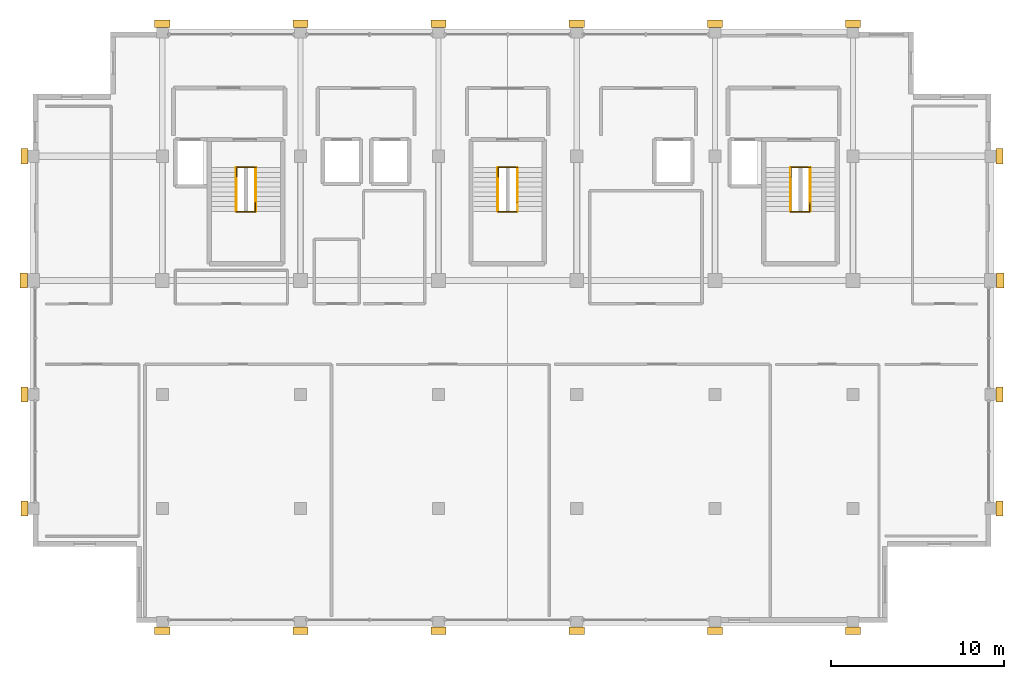
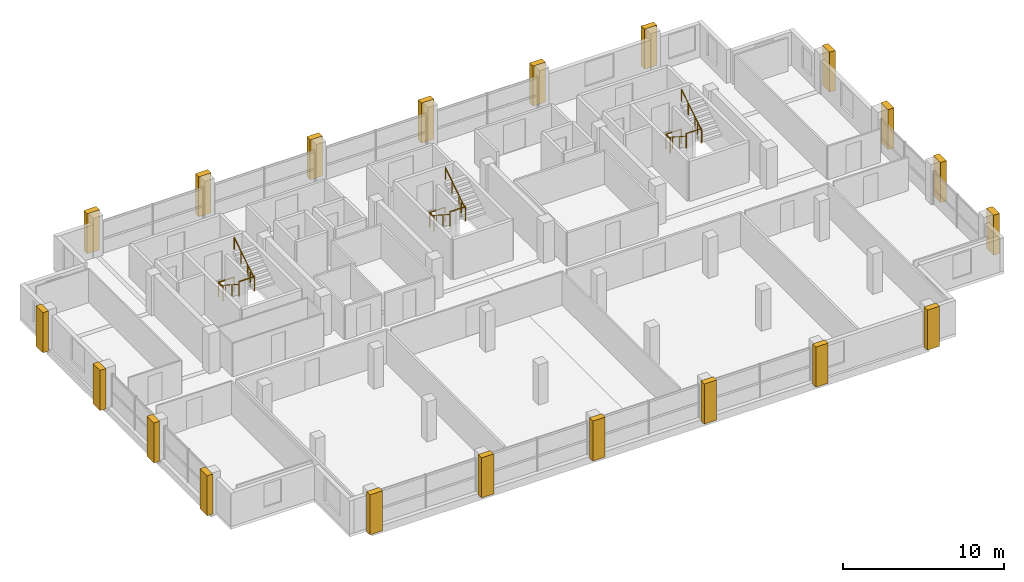
# One storey, part 24 of 24: 20 coverings, 12 railings.
"""IFC4 building model written with IfcOpenShell, lengths in metres."""

from ifc_helpers import new_model, si_unit, direction, frame, origin, origin_2d, place, context, subcontext, project, spatial, rectangle, circle, extrude, material, layer, layer_set, type_object, element, save


model = new_model("IFC4")

# Units and contexts
model_context = context("Model", 3, precision=1e-05, world=origin(), true_north=direction((0.0, 1.0)))
body_context = subcontext(model_context, "Body", "Model", "MODEL_VIEW")
ifc_project = project(units=[si_unit("LENGTHUNIT", "METRE"), si_unit("AREAUNIT", "SQUARE_METRE"), si_unit("VOLUMEUNIT", "CUBIC_METRE"), si_unit("PLANEANGLEUNIT", "RADIAN"), si_unit("MASSUNIT", "GRAM", prefix="KILO")], contexts=[model_context])

# Site, building, storey
site_placement = place(None, origin())
site = spatial("IfcSite", under=ifc_project, at=site_placement, CompositionType="ELEMENT")
building_placement = place(site_placement, origin())
building = spatial("IfcBuilding", under=site, at=building_placement, Name="Akrevak Sports Hall", CompositionType="ELEMENT")
storey_placement = place(building_placement, frame((0.0, 0.0, 60.050048828125)))
storey = spatial("IfcBuildingStorey", under=building, at=storey_placement, Name="L15", CompositionType="ELEMENT", Elevation=60.050048828125)

# Coverings
ifc_material_1 = material(Name="Limestone Ashlar", Category="stone")
ifc_layer_1 = layer(ifc_material_1, 0.47998046875, Name="Limestone Ashlar")
ifc_layer_set_1 = layer_set([ifc_layer_1], Name="Limestone Ashlar")
covering_type = type_object("IfcCoveringType", Name="ARC-COV-PIL-LIM", PredefinedType="CLADDING", material=ifc_layer_set_1)
for number, where, z_axis, x_axis, name in (
    (1, (60.0, 34.919921875, 0.0), (0.0, 0.0, 1.0), (1.0, 0.0, 0.0), "Giant-Order Limestone Pilaster L15-01-01"),
    (2, (68.0, 34.919921875, 0.0), (0.0, 0.0, 1.0), (1.0, 0.0, 0.0), "Giant-Order Limestone Pilaster L15-01-02"),
    (3, (76.0, 34.919921875, 0.0), (0.0, 0.0, 1.0), (1.0, 0.0, 0.0), "Giant-Order Limestone Pilaster L15-01-03"),
    (4, (84.0, 34.919921875, 0.0), (0.0, 0.0, 1.0), (1.0, 0.0, 0.0), "Giant-Order Limestone Pilaster L15-01-04"),
    (5, (92.0, 34.919921875, 0.0), (0.0, 0.0, 1.0), (1.0, 0.0, 0.0), "Giant-Order Limestone Pilaster L15-01-05"),
    (6, (100.0, 34.919921875, 0.0), (0.0, 0.0, 1.0), (1.0, 0.0, 0.0), "Giant-Order Limestone Pilaster L15-01-06"),
    (7, (108.47998046875, 42.0, 0.0), (0.0, 0.0, 1.0), (0.0, 1.0, 0.0), "Giant-Order Limestone Pilaster L15-04-07"),
    (8, (108.47998046875, 48.60009765625, 0.0), (0.0, 0.0, 1.0), (0.0, 1.0, 0.0), "Giant-Order Limestone Pilaster L15-04-08"),
    (9, (108.530029296875, 55.199951171875, 0.0), (0.0, 0.0, 1.0), (0.0, 1.0, 0.0), "Giant-Order Limestone Pilaster L15-04-09"),
    (10, (108.47998046875, 62.39990234375, 0.0), (0.0, 0.0, 1.0), (0.0, 1.0, 0.0), "Giant-Order Limestone Pilaster L15-04-10"),
    (11, (60.0, 70.080078125, 0.0), (0.0, 0.0, 1.0), (-1.0, 0.0, 0.0), "Giant-Order Limestone Pilaster L15-07-11"),
    (12, (68.0, 70.080078125, 0.0), (0.0, 0.0, 1.0), (-1.0, 0.0, 0.0), "Giant-Order Limestone Pilaster L15-07-12"),
    (13, (76.0, 70.080078125, 0.0), (0.0, 0.0, 1.0), (-1.0, 0.0, 0.0), "Giant-Order Limestone Pilaster L15-07-13"),
    (14, (84.0, 70.080078125, 0.0), (0.0, 0.0, 1.0), (-1.0, 0.0, 0.0), "Giant-Order Limestone Pilaster L15-07-14"),
    (15, (92.0, 70.080078125, 0.0), (0.0, 0.0, 1.0), (-1.0, 0.0, 0.0), "Giant-Order Limestone Pilaster L15-07-15"),
    (16, (100.0, 70.080078125, 0.0), (0.0, 0.0, 1.0), (-1.0, 0.0, 0.0), "Giant-Order Limestone Pilaster L15-07-16"),
    (17, (52.02001953125, 42.0, 0.0), (0.0, 0.0, 1.0), (0.0, -1.0, 0.0), "Giant-Order Limestone Pilaster L15-10-17"),
    (18, (52.02001953125, 48.60009765625, 0.0), (0.0, 0.0, 1.0), (0.0, -1.0, 0.0), "Giant-Order Limestone Pilaster L15-10-18"),
    (19, (51.969970703125, 55.199951171875, 0.0), (0.0, 0.0, 1.0), (0.0, -1.0, 0.0), "Giant-Order Limestone Pilaster L15-10-19"),
    (20, (52.02001953125, 62.39990234375, 0.0), (0.0, 0.0, 1.0), (0.0, -1.0, 0.0), "Giant-Order Limestone Pilaster L15-10-20"),
):
    element("IfcCovering", number, at=place(storey_placement, frame(where, z_axis=z_axis, x_axis=x_axis)), inside=storey, type_object=covering_type, Name=name, PredefinedType="CLADDING", context=body_context, shape_type="SweptSolid", body=[
        extrude(rectangle(XDim=0.8798828125, YDim=0.419921875, at=origin_2d()), origin(), (0.0, 0.0, 1.0), 3.0400390625),
    ])

# Railings
ifc_material_2 = material(Name="Painted Architectural Balustrade Steel", Category="steel")
ifc_layer_2 = layer(ifc_material_2, 0.06005859375, Name="Painted Architectural Balustrade Steel")
ifc_layer_set_2 = layer_set([ifc_layer_2], Name="Painted Architectural Balustrade Steel")
railing_type_1 = type_object("IfcRailingType", Name="ARC-RL-GRD-1120", PredefinedType="GUARDRAIL", material=ifc_layer_set_2)
railing_1_placement = place(storey_placement, frame((64.31005859375, 61.215087890625, 0.0)))
element("IfcRailing", 21, at=railing_1_placement, inside=storey, type_object=railing_type_1, Name="Stair Floor Landing Well Guard ST1 (L15)", PredefinedType="GUARDRAIL", context=body_context, shape_type="SweptSolid", body=[
    extrude(circle(Radius=0.02392578125, at=origin_2d()), frame((0.0, 0.0, 1.09619140625), z_axis=(0.0, 1.0, 0.0), x_axis=(-1.0, 0.0, 0.0)), (0.0, 0.0, 1.0), 0.5498046875),
    extrude(circle(Radius=0.02392578125, at=origin_2d()), frame((0.0, 0.5498046875, 1.09619140625), z_axis=(1.0, 0.0, 0.0), x_axis=(0.0, 1.0, 0.0)), (0.0, 0.0, 1.0), 1.10986328125),
    extrude(circle(Radius=0.02099609375, at=origin_2d()), origin(), (0.0, 0.0, 1.0), 1.072021484375),
    extrude(circle(Radius=0.02099609375, at=origin_2d()), frame((0.0, 0.5498046875, 0.0)), (0.0, 0.0, 1.0), 1.072021484375),
    extrude(circle(Radius=0.02099609375, at=origin_2d()), frame((1.10986328125, 0.5498046875, 0.0)), (0.0, 0.0, 1.0), 1.072021484375),
])
railing_2_placement = place(storey_placement, frame((64.280029296875, 59.18505859375, 1.625)))
element("IfcRailing", 22, at=railing_2_placement, inside=storey, type_object=railing_type_1, Name="Stair Landing Well Guard ST1-L15-1", PredefinedType="GUARDRAIL", context=body_context, shape_type="SweptSolid", body=[
    extrude(circle(Radius=0.02392578125, at=origin_2d()), frame((0.0, 0.0, 1.09619140625), z_axis=(1.0, 0.0, 0.0), x_axis=(0.0, 1.0, 0.0)), (0.0, 0.0, 1.0), 1.10986328125),
    extrude(circle(Radius=0.02392578125, at=origin_2d()), frame((1.10986328125, 0.0, 1.09619140625), z_axis=(0.0, 1.0, 0.0), x_axis=(-1.0, 0.0, 0.0)), (0.0, 0.0, 1.0), 0.52001953125),
    extrude(circle(Radius=0.02099609375, at=origin_2d()), origin(), (0.0, 0.0, 1.0), 1.072021484375),
    extrude(circle(Radius=0.02099609375, at=origin_2d()), frame((1.10986328125, 0.0, 0.0)), (0.0, 0.0, 1.0), 1.072021484375),
    extrude(circle(Radius=0.02099609375, at=origin_2d()), frame((1.10986328125, 0.52001953125, 0.0)), (0.0, 0.0, 1.0), 1.072021484375),
])
railing_3_placement = place(storey_placement, frame((96.409912109375, 61.215087890625, 0.0)))
element("IfcRailing", 23, at=railing_3_placement, inside=storey, type_object=railing_type_1, Name="Stair Floor Landing Well Guard ST2 (L15)", PredefinedType="GUARDRAIL", context=body_context, shape_type="SweptSolid", body=[
    extrude(circle(Radius=0.02392578125, at=origin_2d()), frame((0.0, 0.0, 1.09619140625), z_axis=(0.0, 1.0, 0.0), x_axis=(-1.0, 0.0, 0.0)), (0.0, 0.0, 1.0), 0.5498046875),
    extrude(circle(Radius=0.02392578125, at=origin_2d()), frame((0.0, 0.5498046875, 1.09619140625), z_axis=(1.0, 0.0, 0.0), x_axis=(0.0, 1.0, 0.0)), (0.0, 0.0, 1.0), 1.110107421875),
    extrude(circle(Radius=0.02099609375, at=origin_2d()), origin(), (0.0, 0.0, 1.0), 1.072021484375),
    extrude(circle(Radius=0.02099609375, at=origin_2d()), frame((0.0, 0.5498046875, 0.0)), (0.0, 0.0, 1.0), 1.072021484375),
    extrude(circle(Radius=0.02099609375, at=origin_2d()), frame((1.110107421875, 0.5498046875, 0.0)), (0.0, 0.0, 1.0), 1.072021484375),
])
railing_4_placement = place(storey_placement, frame((96.3798828125, 59.18505859375, 1.625)))
element("IfcRailing", 24, at=railing_4_placement, inside=storey, type_object=railing_type_1, Name="Stair Landing Well Guard ST2-L15-1", PredefinedType="GUARDRAIL", context=body_context, shape_type="SweptSolid", body=[
    extrude(circle(Radius=0.02392578125, at=origin_2d()), frame((0.0, 0.0, 1.09619140625), z_axis=(1.0, 0.0, 0.0), x_axis=(0.0, 1.0, 0.0)), (0.0, 0.0, 1.0), 1.110107421875),
    extrude(circle(Radius=0.02392578125, at=origin_2d()), frame((1.110107421875, 0.0, 1.09619140625), z_axis=(0.0, 1.0, 0.0), x_axis=(-1.0, 0.0, 0.0)), (0.0, 0.0, 1.0), 0.52001953125),
    extrude(circle(Radius=0.02099609375, at=origin_2d()), origin(), (0.0, 0.0, 1.0), 1.072021484375),
    extrude(circle(Radius=0.02099609375, at=origin_2d()), frame((1.110107421875, 0.0, 0.0)), (0.0, 0.0, 1.0), 1.072021484375),
    extrude(circle(Radius=0.02099609375, at=origin_2d()), frame((1.110107421875, 0.52001953125, 0.0)), (0.0, 0.0, 1.0), 1.072021484375),
])
railing_5_placement = place(storey_placement, frame((79.4599609375, 61.215087890625, 0.0)))
element("IfcRailing", 25, at=railing_5_placement, inside=storey, type_object=railing_type_1, Name="Stair Floor Landing Well Guard ST3 (L15)", PredefinedType="GUARDRAIL", context=body_context, shape_type="SweptSolid", body=[
    extrude(circle(Radius=0.02392578125, at=origin_2d()), frame((0.0, 0.0, 1.09619140625), z_axis=(0.0, 1.0, 0.0), x_axis=(-1.0, 0.0, 0.0)), (0.0, 0.0, 1.0), 0.5498046875),
    extrude(circle(Radius=0.02392578125, at=origin_2d()), frame((0.0, 0.5498046875, 1.09619140625), z_axis=(1.0, 0.0, 0.0), x_axis=(0.0, 1.0, 0.0)), (0.0, 0.0, 1.0), 1.110107421875),
    extrude(circle(Radius=0.02099609375, at=origin_2d()), origin(), (0.0, 0.0, 1.0), 1.072021484375),
    extrude(circle(Radius=0.02099609375, at=origin_2d()), frame((0.0, 0.5498046875, 0.0)), (0.0, 0.0, 1.0), 1.072021484375),
    extrude(circle(Radius=0.02099609375, at=origin_2d()), frame((1.110107421875, 0.5498046875, 0.0)), (0.0, 0.0, 1.0), 1.072021484375),
])
railing_6_placement = place(storey_placement, frame((79.429931640625, 59.18505859375, 1.625)))
element("IfcRailing", 26, at=railing_6_placement, inside=storey, type_object=railing_type_1, Name="Stair Landing Well Guard ST3-L15-1", PredefinedType="GUARDRAIL", context=body_context, shape_type="SweptSolid", body=[
    extrude(circle(Radius=0.02392578125, at=origin_2d()), frame((0.0, 0.0, 1.09619140625), z_axis=(1.0, 0.0, 0.0), x_axis=(0.0, 1.0, 0.0)), (0.0, 0.0, 1.0), 1.110107421875),
    extrude(circle(Radius=0.02392578125, at=origin_2d()), frame((1.110107421875, 0.0, 1.09619140625), z_axis=(0.0, 1.0, 0.0), x_axis=(-1.0, 0.0, 0.0)), (0.0, 0.0, 1.0), 0.52001953125),
    extrude(circle(Radius=0.02099609375, at=origin_2d()), origin(), (0.0, 0.0, 1.0), 1.072021484375),
    extrude(circle(Radius=0.02099609375, at=origin_2d()), frame((1.110107421875, 0.0, 0.0)), (0.0, 0.0, 1.0), 1.072021484375),
    extrude(circle(Radius=0.02099609375, at=origin_2d()), frame((1.110107421875, 0.52001953125, 0.0)), (0.0, 0.0, 1.0), 1.072021484375),
])
ifc_material_3 = material(Name="Brushed Stainless Steel 304", Category="steel")
ifc_layer_3 = layer(ifc_material_3, 0.050048828125, Name="Brushed Stainless Steel 304")
ifc_layer_set_3 = layer_set([ifc_layer_3], Name="Brushed Stainless Steel 304")
railing_type_2 = type_object("IfcRailingType", Name="ARC-RL-HND-900", PredefinedType="HANDRAIL", material=ifc_layer_set_3)
railing_7_placement = place(storey_placement, frame((64.280029296875, 61.735107421875, 0.0)))
element("IfcRailing", 27, at=railing_7_placement, inside=storey, type_object=railing_type_2, Name="Stair Handrail ST1-L15-F1", PredefinedType="HANDRAIL", context=body_context, shape_type="SweptSolid", body=[
    extrude(circle(Radius=0.02392578125, at=origin_2d()), frame((0.0, 0.0, 0.8759765625), z_axis=(0.0, -0.840421059866, 0.541933983188), x_axis=(1.0, 0.0, 0.0)), (0.0, 0.0, 1.0), 2.99853515625),
    extrude(circle(Radius=0.02099609375, at=origin_2d()), origin(), (0.0, 0.0, 1.0), 0.851806640625),
    extrude(circle(Radius=0.02099609375, at=origin_2d()), frame((0.0, -0.840087890625, 0.541748046875)), (0.0, 0.0, 1.0), 0.851806640625),
    extrude(circle(Radius=0.02099609375, at=origin_2d()), frame((0.0, -1.679931640625, 1.083251953125)), (0.0, 0.0, 1.0), 0.851806640625),
    extrude(circle(Radius=0.02099609375, at=origin_2d()), frame((0.0, -2.52001953125, 1.625)), (0.0, 0.0, 1.0), 0.851806640625),
])
railing_8_placement = place(storey_placement, frame((65.419921875, 59.215087890625, 1.625)))
element("IfcRailing", 28, at=railing_8_placement, inside=storey, type_object=railing_type_2, Name="Stair Handrail ST1-L15-F2", PredefinedType="HANDRAIL", context=body_context, shape_type="SweptSolid", body=[
    extrude(circle(Radius=0.02392578125, at=origin_2d()), frame((0.0, 0.0, 0.8759765625), z_axis=(0.0, 0.840421059866, 0.541933983188), x_axis=(-1.0, 0.0, 0.0)), (0.0, 0.0, 1.0), 2.99853515625),
    extrude(circle(Radius=0.02099609375, at=origin_2d()), origin(), (0.0, 0.0, 1.0), 0.851806640625),
    extrude(circle(Radius=0.02099609375, at=origin_2d()), frame((0.0, 0.840087890625, 0.541748046875)), (0.0, 0.0, 1.0), 0.851806640625),
    extrude(circle(Radius=0.02099609375, at=origin_2d()), frame((0.0, 1.679931640625, 1.083251953125)), (0.0, 0.0, 1.0), 0.851806640625),
    extrude(circle(Radius=0.02099609375, at=origin_2d()), frame((0.0, 2.52001953125, 1.625)), (0.0, 0.0, 1.0), 0.851806640625),
])
railing_9_placement = place(storey_placement, frame((96.3798828125, 61.735107421875, 0.0)))
element("IfcRailing", 29, at=railing_9_placement, inside=storey, type_object=railing_type_2, Name="Stair Handrail ST2-L15-F1", PredefinedType="HANDRAIL", context=body_context, shape_type="SweptSolid", body=[
    extrude(circle(Radius=0.02392578125, at=origin_2d()), frame((0.0, 0.0, 0.8759765625), z_axis=(0.0, -0.840421059866, 0.541933983188), x_axis=(1.0, 0.0, 0.0)), (0.0, 0.0, 1.0), 2.99853515625),
    extrude(circle(Radius=0.02099609375, at=origin_2d()), origin(), (0.0, 0.0, 1.0), 0.851806640625),
    extrude(circle(Radius=0.02099609375, at=origin_2d()), frame((0.0, -0.840087890625, 0.541748046875)), (0.0, 0.0, 1.0), 0.851806640625),
    extrude(circle(Radius=0.02099609375, at=origin_2d()), frame((0.0, -1.679931640625, 1.083251953125)), (0.0, 0.0, 1.0), 0.851806640625),
    extrude(circle(Radius=0.02099609375, at=origin_2d()), frame((0.0, -2.52001953125, 1.625)), (0.0, 0.0, 1.0), 0.851806640625),
])
railing_10_placement = place(storey_placement, frame((97.52001953125, 59.215087890625, 1.625)))
element("IfcRailing", 30, at=railing_10_placement, inside=storey, type_object=railing_type_2, Name="Stair Handrail ST2-L15-F2", PredefinedType="HANDRAIL", context=body_context, shape_type="SweptSolid", body=[
    extrude(circle(Radius=0.02392578125, at=origin_2d()), frame((0.0, 0.0, 0.8759765625), z_axis=(0.0, 0.840421059866, 0.541933983188), x_axis=(-1.0, 0.0, 0.0)), (0.0, 0.0, 1.0), 2.99853515625),
    extrude(circle(Radius=0.02099609375, at=origin_2d()), origin(), (0.0, 0.0, 1.0), 0.851806640625),
    extrude(circle(Radius=0.02099609375, at=origin_2d()), frame((0.0, 0.840087890625, 0.541748046875)), (0.0, 0.0, 1.0), 0.851806640625),
    extrude(circle(Radius=0.02099609375, at=origin_2d()), frame((0.0, 1.679931640625, 1.083251953125)), (0.0, 0.0, 1.0), 0.851806640625),
    extrude(circle(Radius=0.02099609375, at=origin_2d()), frame((0.0, 2.52001953125, 1.625)), (0.0, 0.0, 1.0), 0.851806640625),
])
railing_11_placement = place(storey_placement, frame((79.429931640625, 61.735107421875, 0.0)))
element("IfcRailing", 31, at=railing_11_placement, inside=storey, type_object=railing_type_2, Name="Stair Handrail ST3-L15-F1", PredefinedType="HANDRAIL", context=body_context, shape_type="SweptSolid", body=[
    extrude(circle(Radius=0.02392578125, at=origin_2d()), frame((0.0, 0.0, 0.8759765625), z_axis=(0.0, -0.840421059866, 0.541933983188), x_axis=(1.0, 0.0, 0.0)), (0.0, 0.0, 1.0), 2.99853515625),
    extrude(circle(Radius=0.02099609375, at=origin_2d()), origin(), (0.0, 0.0, 1.0), 0.851806640625),
    extrude(circle(Radius=0.02099609375, at=origin_2d()), frame((0.0, -0.840087890625, 0.541748046875)), (0.0, 0.0, 1.0), 0.851806640625),
    extrude(circle(Radius=0.02099609375, at=origin_2d()), frame((0.0, -1.679931640625, 1.083251953125)), (0.0, 0.0, 1.0), 0.851806640625),
    extrude(circle(Radius=0.02099609375, at=origin_2d()), frame((0.0, -2.52001953125, 1.625)), (0.0, 0.0, 1.0), 0.851806640625),
])
railing_12_placement = place(storey_placement, frame((80.570068359375, 59.215087890625, 1.625)))
element("IfcRailing", 32, at=railing_12_placement, inside=storey, type_object=railing_type_2, Name="Stair Handrail ST3-L15-F2", PredefinedType="HANDRAIL", context=body_context, shape_type="SweptSolid", body=[
    extrude(circle(Radius=0.02392578125, at=origin_2d()), frame((0.0, 0.0, 0.8759765625), z_axis=(0.0, 0.840421059866, 0.541933983188), x_axis=(-1.0, 0.0, 0.0)), (0.0, 0.0, 1.0), 2.99853515625),
    extrude(circle(Radius=0.02099609375, at=origin_2d()), origin(), (0.0, 0.0, 1.0), 0.851806640625),
    extrude(circle(Radius=0.02099609375, at=origin_2d()), frame((0.0, 0.840087890625, 0.541748046875)), (0.0, 0.0, 1.0), 0.851806640625),
    extrude(circle(Radius=0.02099609375, at=origin_2d()), frame((0.0, 1.679931640625, 1.083251953125)), (0.0, 0.0, 1.0), 0.851806640625),
    extrude(circle(Radius=0.02099609375, at=origin_2d()), frame((0.0, 2.52001953125, 1.625)), (0.0, 0.0, 1.0), 0.851806640625),
])

save(model, "model.ifc")
